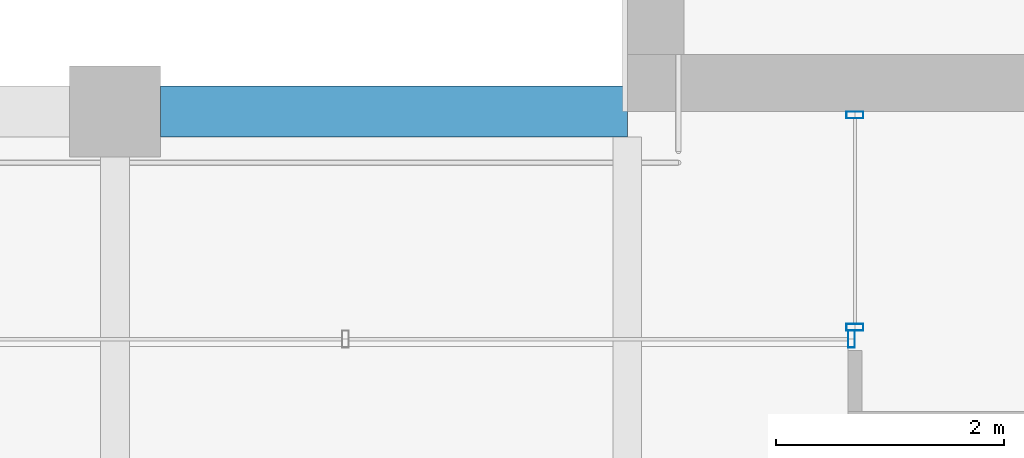
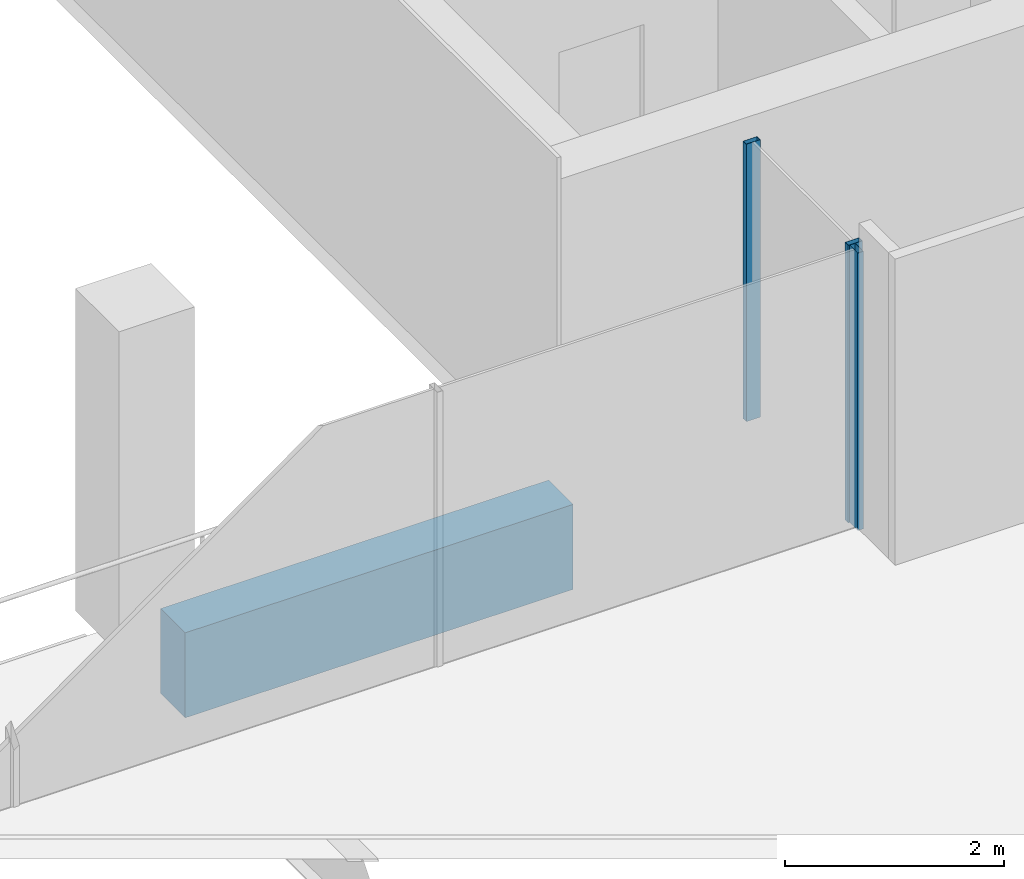
# One storey, part 6 of 41: 3 members, 1 beam, 2 elements without a shape of their own.
"""IFC4 building model written with IfcOpenShell, lengths in metres."""

from ifc_helpers import new_model, si_unit, direction, frame, origin, origin_2d, place, context, subcontext, project, spatial, rectangle, hollow_rectangle, extrude, material, material_profile, profile_set, type_object, element, aggregate, save


model = new_model("IFC4")

# Units and contexts
model_context = context("Model", 3, precision=1e-05, world=origin(), true_north=direction((0.0, 1.0)))
body_context = subcontext(model_context, "Body", "Model", "MODEL_VIEW")
ifc_project = project(units=[si_unit("LENGTHUNIT", "METRE"), si_unit("AREAUNIT", "SQUARE_METRE"), si_unit("VOLUMEUNIT", "CUBIC_METRE"), si_unit("PLANEANGLEUNIT", "RADIAN"), si_unit("MASSUNIT", "GRAM", prefix="KILO")], contexts=[model_context])

# Site, building, storey
site_placement = place(None, origin())
site = spatial("IfcSite", under=ifc_project, at=site_placement, CompositionType="ELEMENT")
building_placement = place(site_placement, origin())
building = spatial("IfcBuilding", under=site, at=building_placement, Name="Altepetl Exchange Towers", CompositionType="ELEMENT")
storey_placement = place(building_placement, frame((0.0, 0.0, 206.39990234375)))
storey = spatial("IfcBuildingStorey", under=building, at=storey_placement, Name="L52", CompositionType="ELEMENT", Elevation=206.39990234375)

# Curtain wall, members
ifc_material_1 = material(Name="Aluminium 6063-T6 glazing", Category="aluminium")
curtain_wall_type = type_object("IfcCurtainWallType", Name="Loggia glazing system", PredefinedType="NOTDEFINED", material=ifc_material_1)
curtain_wall_1_placement = place(storey_placement, origin())
curtain_wall_1 = element("IfcCurtainWall", 1, at=curtain_wall_1_placement, inside=storey, type_object=curtain_wall_type, Name="CW1 run", PredefinedType="NOTDEFINED")
ifc_material_2 = material(Name="Aluminium 6063-T6", Category="aluminium")
ifc_material_profile_1 = material_profile(ifc_material_2, hollow_rectangle(XDim=0.06005859375, YDim=0.14990234375, WallThickness=0.0029296875, at=origin_2d()), Name="Mullion 60x150 aluminium")
ifc_profile_set_1 = profile_set([ifc_material_profile_1], Name="Aluminium 6063-T6")
member_type = type_object("IfcMemberType", Name="Mullion 60x150 aluminium", PredefinedType="MULLION", material=ifc_profile_set_1)
member_1_placement = place(storey_placement, frame((42.5, 40.469970703125, 0.0), z_axis=(0.0, 0.0, 1.0), x_axis=(0.0, -1.0, 0.0)))
member_1 = element("IfcMember", 2, at=member_1_placement, type_object=member_type, Name="MU1 mullion", PredefinedType="MULLION", context=body_context, shape_type="SweptSolid", body=[
    extrude(hollow_rectangle(XDim=0.06005859375, YDim=0.14990234375, WallThickness=0.0029296875, at=origin_2d()), origin(), (0.0, 0.0, 1.0), 3.10009765625),
])
member_2_placement = place(storey_placement, frame((42.5, 38.60498046875, 0.0), z_axis=(0.0, 0.0, 1.0), x_axis=(0.0, -1.0, 0.0)))
member_2 = element("IfcMember", 3, at=member_2_placement, type_object=member_type, Name="MU1 mullion", PredefinedType="MULLION", context=body_context, shape_type="SweptSolid", body=[
    extrude(hollow_rectangle(XDim=0.06005859375, YDim=0.14990234375, WallThickness=0.0029296875, at=origin_2d()), origin(), (0.0, 0.0, 1.0), 3.10009765625),
])
aggregate(curtain_wall_1, [member_1, member_2])

# Curtain wall, member
curtain_wall_2_placement = place(storey_placement, origin())
curtain_wall_2 = element("IfcCurtainWall", 4, at=curtain_wall_2_placement, inside=storey, type_object=curtain_wall_type, Name="CW1 run", PredefinedType="NOTDEFINED")
member_3_placement = place(storey_placement, frame((42.469970703125, 38.5, 0.0), z_axis=(0.0, 0.0, 1.0), x_axis=(-1.0, 0.0, 0.0)))
member_3 = element("IfcMember", 5, at=member_3_placement, type_object=member_type, Name="MU1 mullion", PredefinedType="MULLION", context=body_context, shape_type="SweptSolid", body=[
    extrude(hollow_rectangle(XDim=0.06005859375, YDim=0.14990234375, WallThickness=0.0029296875, at=origin_2d()), origin(), (0.0, 0.0, 1.0), 3.10009765625),
])
aggregate(curtain_wall_2, [member_3])

# Beam
ifc_material_3 = material(Name="Concrete C50/60 precast with tezontle facing", Category="concrete")
ifc_material_profile_2 = material_profile(ifc_material_3, rectangle(XDim=0.449951171875, YDim=0.949951171875, at=origin_2d()), Name="450 x 950")
ifc_profile_set_2 = profile_set([ifc_material_profile_2], Name="Concrete C50/60 precast with tezontle facing")
beam_type = type_object("IfcBeamType", Name="Spandrel beam 450x950 tezontle", PredefinedType="SPANDREL", material=ifc_profile_set_2)
beam_placement = place(storey_placement, frame((40.5, 40.5, -0.625), z_axis=(-1.0, 0.0, 0.0), x_axis=(0.0, -1.0, 0.0)))
element("IfcBeam", 6, at=beam_placement, inside=storey, type_object=beam_type, Name="sp:A:L52:033", PredefinedType="SPANDREL", context=body_context, shape_type="SweptSolid", body=[
    extrude(rectangle(XDim=0.449951171875, YDim=0.949951171875, at=origin_2d()), origin(), (0.0, 0.0, 1.0), 4.10009765625),
])

save(model, "model.ifc")
